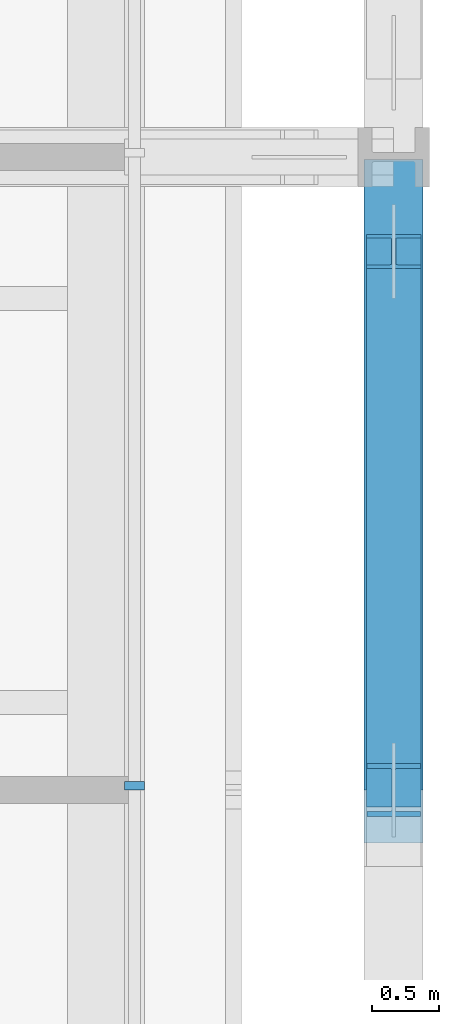
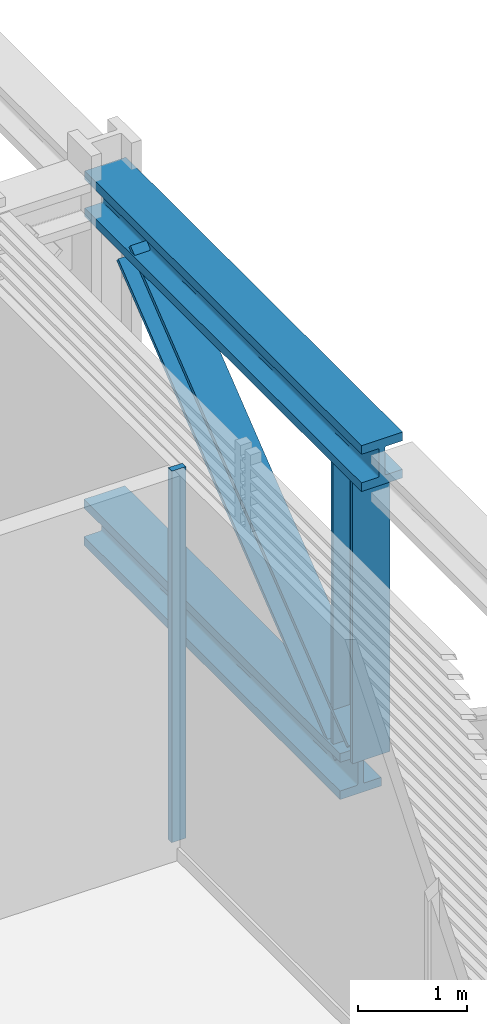
# One storey, part 13 of 33: 3 members, 2 beams, 1 element without a shape of its own.
"""IFC4 building model written with IfcOpenShell, lengths in metres."""

from ifc_helpers import new_model, si_unit, direction, frame, origin, origin_2d, place, context, subcontext, project, spatial, rectangle, i_section, extrude, material, layer, layer_set, material_profile, profile_set, type_object, element, aggregate, save


model = new_model("IFC4")

# Units and contexts
model_context = context("Model", 3, precision=1e-05, world=origin(), true_north=direction((0.0, 1.0)))
body_context = subcontext(model_context, "Body", "Model", "MODEL_VIEW")
ifc_project = project(units=[si_unit("LENGTHUNIT", "METRE"), si_unit("AREAUNIT", "SQUARE_METRE"), si_unit("VOLUMEUNIT", "CUBIC_METRE"), si_unit("PLANEANGLEUNIT", "RADIAN"), si_unit("MASSUNIT", "GRAM", prefix="KILO")], contexts=[model_context])

# Site, building, storey
site_placement = place(None, origin())
site = spatial("IfcSite", under=ifc_project, at=site_placement, CompositionType="ELEMENT")
building_placement = place(site_placement, origin())
building = spatial("IfcBuilding", under=site, at=building_placement, Name="Millrace Tower", CompositionType="ELEMENT")
storey_placement = place(building_placement, frame((0.0, 0.0, 64.10009765625)))
storey = spatial("IfcBuildingStorey", under=building, at=storey_placement, Name="L14", CompositionType="ELEMENT", Elevation=64.10009765625)

# Beams
ifc_material_1 = material(Name="Steel ASTM A992 Grade 50", Category="steel")
ifc_material_profile_1 = material_profile(ifc_material_1, i_section(OverallWidth=0.436767578125, OverallDepth=0.51318359375, WebThickness=0.060546875, FlangeThickness=0.096923828125, FilletRadius=0.01513671875, at=origin_2d()))
ifc_profile_set_1 = profile_set([ifc_material_profile_1], Name="Steel ASTM A992 Grade 50")
beam_type = type_object("IfcBeamType", Name="Belt truss chord W14x550", PredefinedType="BEAM", material=ifc_profile_set_1)
beam_1_placement = place(storey_placement, frame((27.0, 2.35009765625, 0.25634765625), z_axis=(0.0, 1.0, 0.0), x_axis=(-1.0, 0.0, 0.0)))
element("IfcBeam", 1, at=beam_1_placement, inside=storey, type_object=beam_type, Name="BLT-L14-R07-B03", PredefinedType="BEAM", context=body_context, shape_type="SweptSolid", body=[
    extrude(i_section(OverallWidth=0.436767578125, OverallDepth=0.51318359375, WebThickness=0.060546875, FlangeThickness=0.096923828125, FilletRadius=0.01513671875, at=origin_2d()), origin(), (0.0, 0.0, 1.0), 4.699951171875),
])
beam_2_placement = place(storey_placement, frame((27.0, 1.9580078125, 3.943359375), z_axis=(0.0, 1.0, 0.0), x_axis=(-1.0, 0.0, 0.0)))
element("IfcBeam", 2, at=beam_2_placement, inside=storey, type_object=beam_type, Name="BLT-L14-R07-T03", PredefinedType="BEAM", context=body_context, shape_type="SweptSolid", body=[
    extrude(i_section(OverallWidth=0.436767578125, OverallDepth=0.51318359375, WebThickness=0.060546875, FlangeThickness=0.096923828125, FilletRadius=0.01513671875, at=origin_2d()), origin(), (0.0, 0.0, 1.0), 5.07470703125),
])

# Members
ifc_material_2 = material(Name="Steel ASTM A992 Grade 50", Category="steel")
ifc_material_profile_2 = material_profile(ifc_material_2, i_section(OverallWidth=0.40380859375, OverallDepth=0.406494140625, WebThickness=0.027099609375, FlangeThickness=0.043701171875, FilletRadius=0.01513671875, at=origin_2d()))
ifc_profile_set_2 = profile_set([ifc_material_profile_2], Name="Steel ASTM A992 Grade 50")
member_type_1 = type_object("IfcMemberType", Name="Belt truss diagonal W14x233", PredefinedType="BRACE", material=ifc_profile_set_2)
member_1_placement = place(storey_placement, frame((27.0, 2.35009765625, 0.512939453125), z_axis=(0.0, 0.783362807967, 0.621564728001), x_axis=(-1.0, 0.0, 0.0)))
element("IfcMember", 3, at=member_1_placement, inside=storey, type_object=member_type_1, Name="BLT-L14-R07-D03", PredefinedType="BRACE", context=body_context, shape_type="SweptSolid", body=[
    extrude(i_section(OverallWidth=0.40380859375, OverallDepth=0.406494140625, WebThickness=0.027099609375, FlangeThickness=0.043701171875, FilletRadius=0.01513671875, at=origin_2d()), origin(), (0.0, 0.0, 1.0), 5.106201171875),
])
ifc_material_3 = material(Name="Steel ASTM A992 Grade 50", Category="steel")
ifc_material_profile_3 = material_profile(ifc_material_3, i_section(OverallWidth=0.398681640625, OverallDepth=0.393798828125, WebThickness=0.022705078125, FlangeThickness=0.03662109375, FilletRadius=0.01513671875, at=origin_2d()))
ifc_profile_set_3 = profile_set([ifc_material_profile_3], Name="Steel ASTM A992 Grade 50")
member_type_2 = type_object("IfcMemberType", Name="Belt truss post W14x193", PredefinedType="POST", material=ifc_profile_set_3)
member_2_placement = place(storey_placement, frame((27.0, 2.35009765625, 0.512939453125), z_axis=(0.0, 0.0, 1.0), x_axis=(1.0, 0.0, 0.0)))
element("IfcMember", 4, at=member_2_placement, inside=storey, type_object=member_type_2, Name="BLT-L14-R07-V02", PredefinedType="POST", context=body_context, shape_type="SweptSolid", body=[
    extrude(i_section(OverallWidth=0.398681640625, OverallDepth=0.393798828125, WebThickness=0.022705078125, FlangeThickness=0.03662109375, FilletRadius=0.01513671875, at=origin_2d()), origin(), (0.0, 0.0, 1.0), 3.173828125),
])

# Curtain wall, member
ifc_material_4 = material(Name="Aluminium and glass", Category="aluminium")
ifc_layer = layer(ifc_material_4, 0.14990234375)
ifc_layer_set = layer_set([ifc_layer], Name="Aluminium and glass")
curtain_wall_type = type_object("IfcCurtainWallType", Name="CW-5 truss and plant storey louvred infill", PredefinedType="NOTDEFINED", material=ifc_layer_set)
curtain_wall_placement = place(storey_placement, origin())
curtain_wall = element("IfcCurtainWall", 5, at=curtain_wall_placement, inside=storey, type_object=curtain_wall_type, Name="Curtain wall A-F04 L14", PredefinedType="NOTDEFINED")
ifc_material_5 = material(Name="Aluminium", Category="aluminium")
ifc_material_profile_4 = material_profile(ifc_material_5, rectangle(XDim=0.06494140625, YDim=0.14990234375, at=origin_2d()))
ifc_profile_set_4 = profile_set([ifc_material_profile_4], Name="Aluminium")
member_type_3 = type_object("IfcMemberType", Name="CW-5 truss and plant storey louvred infill mullion", PredefinedType="MULLION", material=ifc_profile_set_4)
member_3_placement = place(storey_placement, frame((25.074951171875, 2.382568359375, 0.139892578125), z_axis=(0.0, 0.0, 1.0), x_axis=(0.0, 1.0, 0.0)))
member_3 = element("IfcMember", 6, at=member_3_placement, type_object=member_type_3, Name="CW5 mullion A-F04.6", PredefinedType="MULLION", context=body_context, shape_type="SweptSolid", body=[
    extrude(rectangle(XDim=0.06494140625, YDim=0.14990234375, at=origin_2d()), origin(), (0.0, 0.0, 1.0), 4.159912109375),
])
aggregate(curtain_wall, [member_3])

save(model, "model.ifc")
